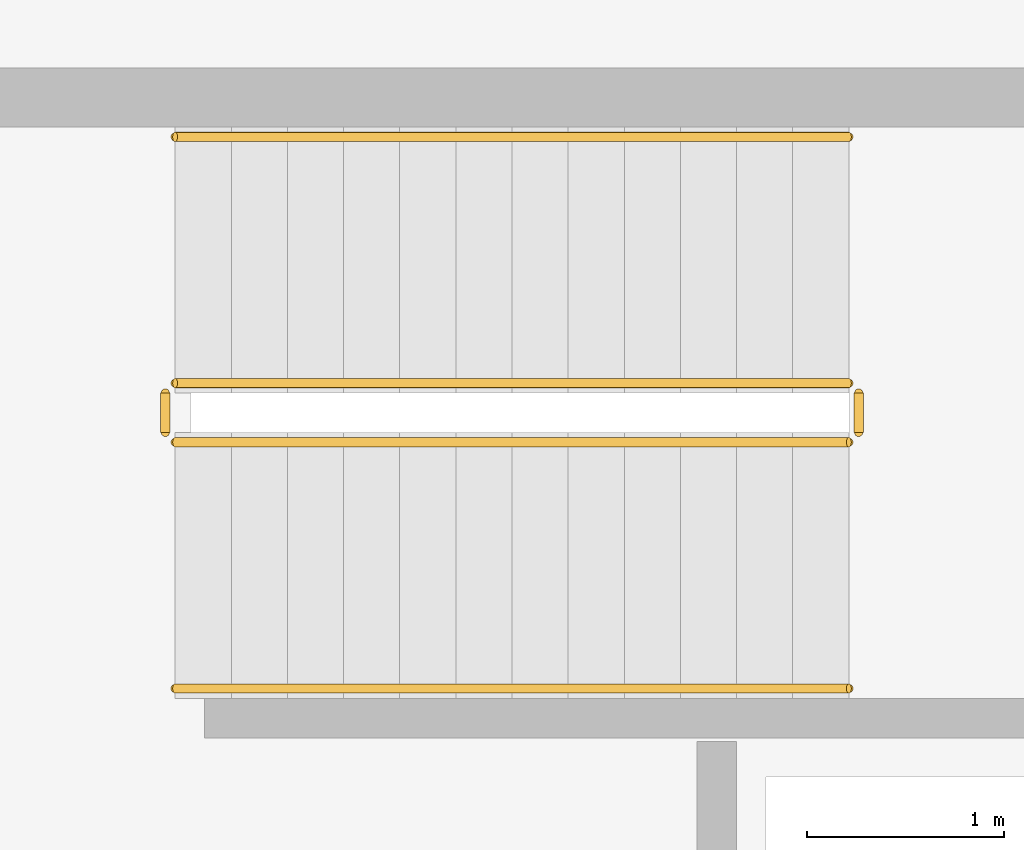
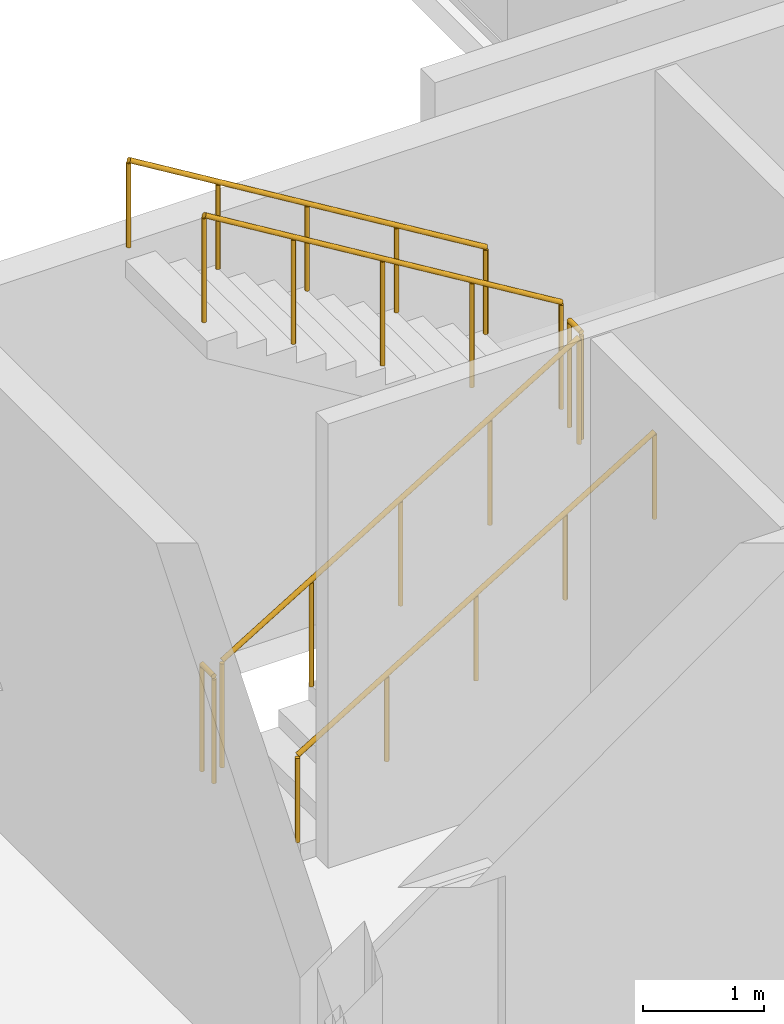
# One storey, part 149 of 153: 6 railings.
"""IFC4 building model written with IfcOpenShell, lengths in metres."""

from ifc_helpers import new_model, si_unit, direction, frame, origin, origin_2d, place, context, subcontext, project, spatial, circle, extrude, material, type_object, element, save


model = new_model("IFC4")

# Units and contexts
model_context = context("Model", 3, precision=1e-05, world=origin(), true_north=direction((0.0, 1.0)))
body_context = subcontext(model_context, "Body", "Model", "MODEL_VIEW")
ifc_project = project(units=[si_unit("LENGTHUNIT", "METRE"), si_unit("AREAUNIT", "SQUARE_METRE"), si_unit("VOLUMEUNIT", "CUBIC_METRE"), si_unit("PLANEANGLEUNIT", "RADIAN"), si_unit("MASSUNIT", "GRAM", prefix="KILO")], contexts=[model_context])

# Site, building, storey
site_placement = place(None, origin())
site = spatial("IfcSite", under=ifc_project, at=site_placement, CompositionType="ELEMENT")
building_placement = place(site_placement, origin())
building = spatial("IfcBuilding", under=site, at=building_placement, Name="Bramvelor Terrace Health Centre", CompositionType="ELEMENT")
storey_placement = place(building_placement, frame((0.0, 0.0, 4.800048828125)))
storey = spatial("IfcBuildingStorey", under=building, at=storey_placement, Name="L02", CompositionType="ELEMENT", Elevation=4.800048828125)

# Railings
ifc_material_1 = material(Name="Painted galvanized steel", Category="steel")
railing_type_1 = type_object("IfcRailingType", Name="RLG-GD-1100", PredefinedType="GUARDRAIL", material=ifc_material_1)
railing_1_placement = place(storey_placement, frame((18.0, 93.050048828125, 0.173095703125)))
element("IfcRailing", 1, at=railing_1_placement, inside=storey, type_object=railing_type_1, Name="L02 ST-2 stair guard 1", PredefinedType="GUARDRAIL", context=body_context, shape_type="SweptSolid", body=[
    extrude(circle(Radius=0.02392578125, at=origin_2d()), frame((0.0, 0.0, 1.076171875), z_axis=(0.854729506542, 0.0, 0.519073665916), x_axis=(0.0, 1.0, 0.0)), (0.0, 0.0, 1.0), 4.001220703125),
    extrude(circle(Radius=0.02099609375, at=origin_2d()), origin(), (0.0, 0.0, 1.0), 1.052001953125),
    extrude(circle(Radius=0.02099609375, at=origin_2d()), frame((0.85498046875, 0.0, 0.519287109375)), (0.0, 0.0, 1.0), 1.052001953125),
    extrude(circle(Radius=0.02099609375, at=origin_2d()), frame((1.7099609375, 0.0, 1.03857421875)), (0.0, 0.0, 1.0), 1.052001953125),
    extrude(circle(Radius=0.02099609375, at=origin_2d()), frame((2.56494140625, 0.0, 1.5576171875)), (0.0, 0.0, 1.0), 1.052001953125),
    extrude(circle(Radius=0.02099609375, at=origin_2d()), frame((3.419921875, 0.0, 2.076904296875)), (0.0, 0.0, 1.0), 1.052001953125),
])
railing_2_placement = place(storey_placement, frame((21.469970703125, 93.10009765625, 2.25)))
element("IfcRailing", 2, at=railing_2_placement, inside=storey, type_object=railing_type_1, Name="L02 ST-2 stair guard 2", PredefinedType="GUARDRAIL", context=body_context, shape_type="SweptSolid", body=[
    extrude(circle(Radius=0.02392578125, at=origin_2d()), frame((0.0, 0.0, 1.076171875), z_axis=(0.0, 1.0, 0.0), x_axis=(-1.0, 0.0, 0.0)), (0.0, 0.0, 1.0), 0.199951171875),
    extrude(circle(Radius=0.02099609375, at=origin_2d()), origin(), (0.0, 0.0, 1.0), 1.052001953125),
    extrude(circle(Radius=0.02099609375, at=origin_2d()), frame((0.0, 0.199951171875, 0.0)), (0.0, 0.0, 1.0), 1.052001953125),
])
railing_3_placement = place(storey_placement, frame((21.419921875, 93.35009765625, 2.423095703125)))
element("IfcRailing", 3, at=railing_3_placement, inside=storey, type_object=railing_type_1, Name="L02 ST-2 stair guard 3", PredefinedType="GUARDRAIL", context=body_context, shape_type="SweptSolid", body=[
    extrude(circle(Radius=0.02392578125, at=origin_2d()), frame((0.0, 0.0, 1.076171875), z_axis=(-0.854729506542, 0.0, 0.519073665916), x_axis=(0.0, -1.0, 0.0)), (0.0, 0.0, 1.0), 4.001220703125),
    extrude(circle(Radius=0.02099609375, at=origin_2d()), origin(), (0.0, 0.0, 1.0), 1.052001953125),
    extrude(circle(Radius=0.02099609375, at=origin_2d()), frame((-0.85498046875, 0.0, 0.519287109375)), (0.0, 0.0, 1.0), 1.052001953125),
    extrude(circle(Radius=0.02099609375, at=origin_2d()), frame((-1.7099609375, 0.0, 1.03857421875)), (0.0, 0.0, 1.0), 1.052001953125),
    extrude(circle(Radius=0.02099609375, at=origin_2d()), frame((-2.56494140625, 0.0, 1.5576171875)), (0.0, 0.0, 1.0), 1.052001953125),
    extrude(circle(Radius=0.02099609375, at=origin_2d()), frame((-3.419921875, 0.0, 2.076904296875)), (0.0, 0.0, 1.0), 1.052001953125),
])
railing_4_placement = place(storey_placement, frame((17.949951171875, 93.10009765625, 0.0)))
element("IfcRailing", 4, at=railing_4_placement, inside=storey, type_object=railing_type_1, Name="L02 ST-2 stair guard 4", PredefinedType="GUARDRAIL", context=body_context, shape_type="SweptSolid", body=[
    extrude(circle(Radius=0.02392578125, at=origin_2d()), frame((0.0, 0.0, 1.076171875), z_axis=(0.0, 1.0, 0.0), x_axis=(-1.0, 0.0, 0.0)), (0.0, 0.0, 1.0), 0.199951171875),
    extrude(circle(Radius=0.02099609375, at=origin_2d()), origin(), (0.0, 0.0, 1.0), 1.052001953125),
    extrude(circle(Radius=0.02099609375, at=origin_2d()), frame((0.0, 0.199951171875, 0.0)), (0.0, 0.0, 1.0), 1.052001953125),
])
ifc_material_2 = material(Name="Brushed stainless steel 316", Category="steel")
railing_type_2 = type_object("IfcRailingType", Name="RLG-HR-900", PredefinedType="HANDRAIL", material=ifc_material_2)
railing_5_placement = place(storey_placement, frame((18.0, 91.800048828125, 0.173095703125)))
element("IfcRailing", 5, at=railing_5_placement, inside=storey, type_object=railing_type_2, Name="L02 ST-2 stair handrail 1", PredefinedType="HANDRAIL", context=body_context, shape_type="SweptSolid", body=[
    extrude(circle(Radius=0.02392578125, at=origin_2d()), frame((0.0, 0.0, 0.8759765625), z_axis=(0.854729506542, 0.0, 0.519073665916), x_axis=(0.0, 1.0, 0.0)), (0.0, 0.0, 1.0), 4.001220703125),
    extrude(circle(Radius=0.02099609375, at=origin_2d()), origin(), (0.0, 0.0, 1.0), 0.851806640625),
    extrude(circle(Radius=0.02099609375, at=origin_2d()), frame((0.85498046875, 0.0, 0.519287109375)), (0.0, 0.0, 1.0), 0.851806640625),
    extrude(circle(Radius=0.02099609375, at=origin_2d()), frame((1.7099609375, 0.0, 1.03857421875)), (0.0, 0.0, 1.0), 0.851806640625),
    extrude(circle(Radius=0.02099609375, at=origin_2d()), frame((2.56494140625, 0.0, 1.5576171875)), (0.0, 0.0, 1.0), 0.851806640625),
    extrude(circle(Radius=0.02099609375, at=origin_2d()), frame((3.419921875, 0.0, 2.076904296875)), (0.0, 0.0, 1.0), 0.851806640625),
])
railing_6_placement = place(storey_placement, frame((21.419921875, 94.60009765625, 2.423095703125)))
element("IfcRailing", 6, at=railing_6_placement, inside=storey, type_object=railing_type_2, Name="L02 ST-2 stair handrail 2", PredefinedType="HANDRAIL", context=body_context, shape_type="SweptSolid", body=[
    extrude(circle(Radius=0.02392578125, at=origin_2d()), frame((0.0, 0.0, 0.8759765625), z_axis=(-0.854729506542, 0.0, 0.519073665916), x_axis=(0.0, -1.0, 0.0)), (0.0, 0.0, 1.0), 4.001220703125),
    extrude(circle(Radius=0.02099609375, at=origin_2d()), origin(), (0.0, 0.0, 1.0), 0.851806640625),
    extrude(circle(Radius=0.02099609375, at=origin_2d()), frame((-0.85498046875, 0.0, 0.519287109375)), (0.0, 0.0, 1.0), 0.851806640625),
    extrude(circle(Radius=0.02099609375, at=origin_2d()), frame((-1.7099609375, 0.0, 1.03857421875)), (0.0, 0.0, 1.0), 0.851806640625),
    extrude(circle(Radius=0.02099609375, at=origin_2d()), frame((-2.56494140625, 0.0, 1.5576171875)), (0.0, 0.0, 1.0), 0.851806640625),
    extrude(circle(Radius=0.02099609375, at=origin_2d()), frame((-3.419921875, 0.0, 2.076904296875)), (0.0, 0.0, 1.0), 0.851806640625),
])

save(model, "model.ifc")
